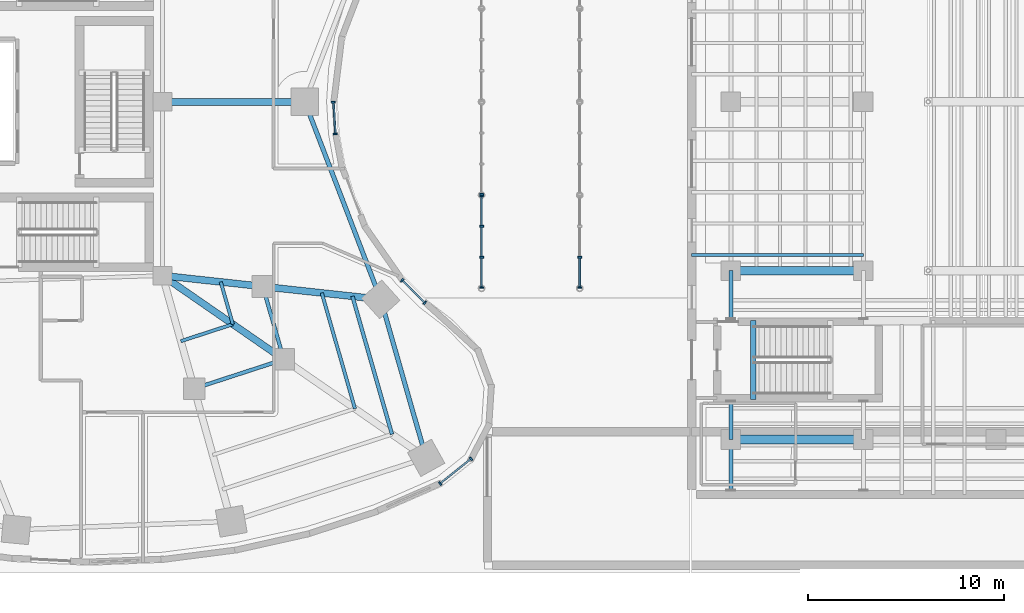
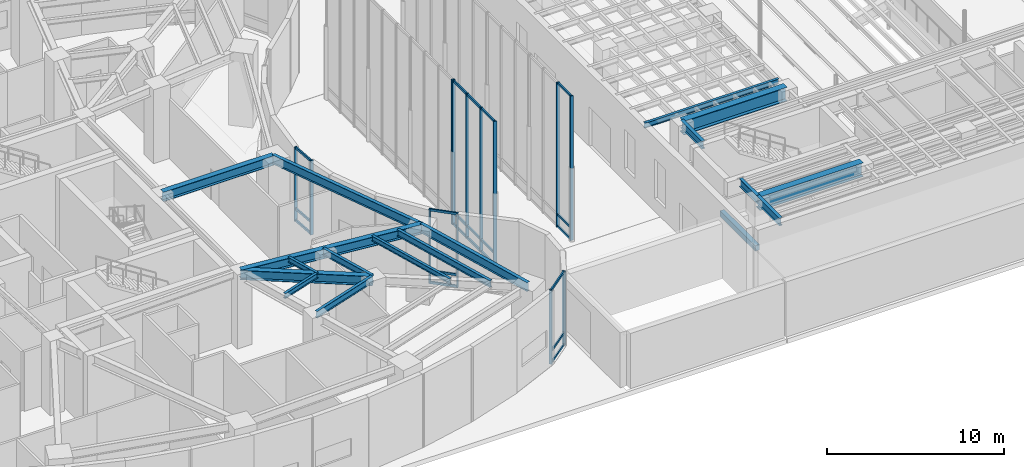
# One storey, part 8 of 28: 34 members, 19 beams, 6 elements without a shape of their own.
"""IFC4 building model written with IfcOpenShell, lengths in metres."""

import ifcopenshell
import ifcopenshell.guid

model = None  # the IFC model being written
_history = None  # IfcOwnerHistory: only IFC2X3 demands one
_inside = {}  # id of a spatial element -> (the spatial element, [elements in it])
_under = {}  # id of a project, library or spatial element -> (it, [spatial elements below it])
_declared = {}  # id of a project -> (the project, [libraries it declares])
_typed = {}  # id of a type object -> (the type object, [elements of that type])
_made_of = {}  # id of a material, layer set ... -> (it, [elements and type objects made of it])


def new_model(schema):
    """Start an empty IFC model of exactly this schema.

    Asked for "IFC4X3", IfcOpenShell would pick the latest addendum, in which some entities
    have other attributes; the version numbers below select the first issue.
    IFC2X3 requires an IfcOwnerHistory on every rooted entity: one is made here for all.
    """
    global model, _history
    if schema == "IFC4X3":
        model = ifcopenshell.file(schema_version=(4, 3, 0, 0))
    else:
        model = ifcopenshell.file(schema=schema)
    _inside.clear()
    _under.clear()
    _declared.clear()
    _typed.clear()
    _made_of.clear()
    _history = None
    if model.schema == "IFC2X3":
        org = make("IfcOrganization", Name="unknown")
        user = make(
            "IfcPersonAndOrganization",
            ThePerson=make("IfcPerson", FamilyName="unknown"),
            TheOrganization=org,
        )
        app = make(
            "IfcApplication",
            ApplicationDeveloper=org,
            Version="unknown",
            ApplicationFullName="unknown",
            ApplicationIdentifier="unknown",
        )
        _history = make(
            "IfcOwnerHistory",
            OwningUser=user,
            OwningApplication=app,
            ChangeAction="ADDED",
            CreationDate=0,
        )
    return model


def make(cls, **values):
    """One entity of the class cls with the attributes given. An attribute that is None is left unset."""
    return model.create_entity(
        cls, **{name: value for name, value in values.items() if value is not None}
    )


def rooted(cls, **values):
    """An entity with a GlobalId (a new one), such as an element, a storey or a relation."""
    return make(cls, GlobalId=ifcopenshell.guid.new(), OwnerHistory=_history, **values)


def si_unit(unit_type, name, prefix=None):
    """IfcSIUnit, for example si_unit("LENGTHUNIT", "METRE", prefix="MILLI")."""
    return make("IfcSIUnit", UnitType=unit_type, Prefix=prefix, Name=name)


def assignment(units):
    """IfcUnitAssignment: the units of a project."""
    return None if units is None else make("IfcUnitAssignment", Units=units)


def point(xyz):
    """IfcCartesianPoint."""
    return None if xyz is None else make("IfcCartesianPoint", Coordinates=xyz)


def direction(xyz):
    """IfcDirection."""
    return None if xyz is None else make("IfcDirection", DirectionRatios=xyz)


def frame(location, z_axis=None, x_axis=None):
    """IfcAxis2Placement3D, a coordinate frame: its origin and axes. An axis left out is left unset."""
    return make(
        "IfcAxis2Placement3D",
        Location=point(location),
        Axis=direction(z_axis),
        RefDirection=direction(x_axis),
    )


def frame_2d(location, x_axis=None):
    """IfcAxis2Placement2D, a coordinate frame in the plane: its origin and x axis."""
    return make(
        "IfcAxis2Placement2D", Location=point(location), RefDirection=direction(x_axis)
    )


def origin():
    """The frame at (0, 0, 0) with its axes left unset."""
    return frame((0.0, 0.0, 0.0))


def origin_2d():
    """The frame at (0, 0) in the plane with its x axis left unset."""
    return frame_2d((0.0, 0.0))


def place(relative_to, where):
    """IfcLocalPlacement: puts the frame where relative to a parent placement (None: the world)."""
    return make(
        "IfcLocalPlacement", PlacementRelTo=relative_to, RelativePlacement=where
    )


def context(
    kind, dimensions, precision=None, world=None, true_north=None, identifier=None
):
    """IfcGeometricRepresentationContext, for example the 3D "Model" context."""
    return make(
        "IfcGeometricRepresentationContext",
        ContextIdentifier=identifier,
        ContextType=kind,
        CoordinateSpaceDimension=dimensions,
        Precision=precision,
        WorldCoordinateSystem=world,
        TrueNorth=true_north,
    )


def subcontext(parent, identifier, kind, view, scale=None):
    """IfcGeometricRepresentationSubContext, for example "Body" below "Model"."""
    return make(
        "IfcGeometricRepresentationSubContext",
        ContextIdentifier=identifier,
        ContextType=kind,
        ParentContext=parent,
        TargetScale=scale,
        TargetView=view,
    )


def project(units=None, contexts=None):
    """IfcProject with its units and contexts."""
    return rooted(
        "IfcProject",
        Name="project",
        RepresentationContexts=contexts,
        UnitsInContext=assignment(units),
    )


def spatial(cls, under=None, at=None, **own):
    """A site, building, storey or space (cls), placed at a placement, below another one or the project."""
    s = rooted(cls, ObjectPlacement=at, **own)
    if under is not None:
        _under.setdefault(under.id(), (under, []))[1].append(s)
    return s


def profile(cls, at=None, kind="AREA", **sizes):
    """A parametric profile (cls). Its sizes go by their IFC names, for example OverallWidth=200.0."""
    return make(cls, ProfileType=kind, Position=at, **sizes)


def rectangle(**sizes):
    """IfcRectangleProfileDef."""
    return profile("IfcRectangleProfileDef", **sizes)


def i_section(**sizes):
    """IfcIShapeProfileDef."""
    return profile("IfcIShapeProfileDef", **sizes)


def extrude(swept, where, along, depth):
    """IfcExtrudedAreaSolid: the profile swept, set in the frame where, extruded along a direction by depth."""
    return make(
        "IfcExtrudedAreaSolid",
        SweptArea=swept,
        Position=where,
        ExtrudedDirection=direction(along),
        Depth=depth,
    )


def shape(context_of_items, identifier, shape_type, items):
    """IfcShapeRepresentation: the items that make up one representation, for example the "Body"."""
    return make(
        "IfcShapeRepresentation",
        ContextOfItems=context_of_items,
        RepresentationIdentifier=identifier,
        RepresentationType=shape_type,
        Items=items,
    )


def material(Name=None, Category=None):
    """IfcMaterial."""
    return make("IfcMaterial", Name=Name, Category=Category)


def layer(
    of_material, thickness, ventilated=None, Name=None, Category=None, Priority=None
):
    """IfcMaterialLayer: one layer of a wall or slab, of a material (None: an air gap)."""
    return make(
        "IfcMaterialLayer",
        Material=of_material,
        LayerThickness=thickness,
        IsVentilated=ventilated,
        Name=Name,
        Category=Category,
        Priority=Priority,
    )


def layer_set(layers, Name=None):
    """IfcMaterialLayerSet."""
    return make("IfcMaterialLayerSet", MaterialLayers=layers, LayerSetName=Name)


def material_profile(
    of_material, cross_section, Name=None, Category=None, Priority=None
):
    """IfcMaterialProfile: a cross section and its material."""
    return make(
        "IfcMaterialProfile",
        Name=Name,
        Material=of_material,
        Profile=cross_section,
        Priority=Priority,
        Category=Category,
    )


def profile_set(profiles, Name=None, composite=None):
    """IfcMaterialProfileSet."""
    return make(
        "IfcMaterialProfileSet",
        Name=Name,
        MaterialProfiles=profiles,
        CompositeProfile=composite,
    )


def made_of(thing, what):
    """Note that an element or type object is made of a material, layer set ...; save() writes the relation."""
    if what is not None:
        _made_of.setdefault(what.id(), (what, []))[1].append(thing)
    return thing


def type_object(cls, material=None, **own):
    """A type object (cls), such as IfcWallType, which elements share."""
    return made_of(rooted(cls, **own), material)


def element(
    cls,
    number,
    at=None,
    inside=None,
    cuts=None,
    type_object=None,
    material=None,
    context=None,
    identifier="Body",
    shape_type=None,
    held_by="IfcProductDefinitionShape",
    body=None,
    shapes=None,
    **own,
):
    """One element of the class cls, such as IfcWall. Its Tag is "e" and its number.

    at: its placement. inside: the storey or other place that contains it. cuts: it is an
    opening in that element (IfcRelVoidsElement). A single representation is given by context,
    identifier, shape_type and body (its items); several are given by shapes. held_by: the class
    of the entity that holds the representations. save() writes the other relations.
    """
    e = rooted(cls, Tag="e%d" % number, ObjectPlacement=at, **own)
    if body is not None:
        shapes = [shape(context, identifier, shape_type, body)]
    if shapes is not None:
        e.Representation = make(held_by, Representations=shapes)
    if inside is not None:
        _inside.setdefault(inside.id(), (inside, []))[1].append(e)
    if cuts is not None:
        rooted(
            "IfcRelVoidsElement", RelatingBuildingElement=cuts, RelatedOpeningElement=e
        )
    if type_object is not None:
        _typed.setdefault(type_object.id(), (type_object, []))[1].append(e)
    return made_of(e, material)


def aggregate(whole, parts):
    """IfcRelAggregates: a whole, such as a stair, and the parts it consists of."""
    return rooted("IfcRelAggregates", RelatingObject=whole, RelatedObjects=parts)


def save(model, path):
    """Write the relations noted so far, then the file.

    IfcRelAggregates (storeys below a building ...), IfcRelContainedInSpatialStructure (elements
    in a storey), IfcRelDefinesByType, IfcRelAssociatesMaterial and IfcRelDeclares: one each for
    every whole, place, type object, material and project.
    """
    for whole, parts in _under.values():
        aggregate(whole, parts)
    for where, things in _inside.values():
        rooted(
            "IfcRelContainedInSpatialStructure",
            RelatedElements=things,
            RelatingStructure=where,
        )
    for kind, things in _typed.values():
        rooted("IfcRelDefinesByType", RelatedObjects=things, RelatingType=kind)
    for what, things in _made_of.values():
        rooted("IfcRelAssociatesMaterial", RelatedObjects=things, RelatingMaterial=what)
    for by, libraries in _declared.values():
        rooted("IfcRelDeclares", RelatingContext=by, RelatedDefinitions=libraries)
    model.write(path)


model = new_model("IFC4")

# Units and contexts
model_context = context("Model", 3, precision=1e-05, world=origin(), true_north=direction((0.0, 1.0)))
body_context = subcontext(model_context, "Body", "Model", "MODEL_VIEW")
ifc_project = project(units=[si_unit("LENGTHUNIT", "METRE"), si_unit("AREAUNIT", "SQUARE_METRE"), si_unit("VOLUMEUNIT", "CUBIC_METRE"), si_unit("PLANEANGLEUNIT", "RADIAN"), si_unit("MASSUNIT", "GRAM", prefix="KILO")], contexts=[model_context])

# Site, building, storey
site_placement = place(None, origin())
site = spatial("IfcSite", under=ifc_project, at=site_placement, CompositionType="ELEMENT")
building_placement = place(site_placement, origin())
building = spatial("IfcBuilding", under=site, at=building_placement, Name="Korentha Bioscience Tower", CompositionType="ELEMENT")
storey_placement = place(building_placement, origin())
storey = spatial("IfcBuildingStorey", under=building, at=storey_placement, Name="L00", CompositionType="ELEMENT", Elevation=0.0)

# Beams
ifc_material_1 = material(Name="Concrete C50", Category="concrete")
ifc_material_profile_1 = material_profile(ifc_material_1, rectangle(XDim=0.280029296875, YDim=0.3798828125, at=origin_2d()), Name="Concrete C50")
ifc_profile_set_1 = profile_set([ifc_material_profile_1], Name="Concrete C50 (ST-HB380)")
beam_type_1 = type_object("IfcBeamType", Name="Concrete Stair Header Beam RC 280x380", PredefinedType="BEAM", material=ifc_profile_set_1)
beam_1_placement = place(storey_placement, frame((67.64990234375, 11.85009765625, -0.18994140625), z_axis=(0.0, 1.0, 0.0), x_axis=(-1.0, 0.0, 0.0)))
element("IfcBeam", 1, at=beam_1_placement, inside=storey, type_object=beam_type_1, Name="L00 ST-T1 Concrete Stair Header Beam", PredefinedType="BEAM", context=body_context, shape_type="SweptSolid", body=[
    extrude(rectangle(XDim=0.280029296875, YDim=0.3798828125, at=origin_2d()), origin(), (0.0, 0.0, 1.0), 4.0),
])
ifc_material_2 = material(Name="Steel S355", Category="steel")
ifc_material_profile_2 = material_profile(ifc_material_2, i_section(OverallWidth=0.18994140625, OverallDepth=0.45703125, WebThickness=0.009033203125, FlangeThickness=0.014404296875, at=origin_2d()), Name="Steel S355")
ifc_profile_set_2 = profile_set([ifc_material_profile_2], Name="Steel S355 (MB-460)")
beam_type_2 = type_object("IfcBeamType", Name="Mid-Ring Tie Girder W460x74", PredefinedType="BEAM", material=ifc_profile_set_2)
beam_2_placement = place(storey_placement, frame((39.1611328125, 12.392333984375, 4.87158203125), z_axis=(0.950877001105, 0.309568940253, 0.0), x_axis=(-0.309568940253, 0.950877001105, 0.0)))
element("IfcBeam", 2, at=beam_2_placement, inside=storey, type_object=beam_type_2, Name="L00 Mid-Ring Tie Girder 12", PredefinedType="BEAM", context=body_context, shape_type="SweptSolid", body=[
    extrude(i_section(OverallWidth=0.18994140625, OverallDepth=0.45703125, WebThickness=0.009033203125, FlangeThickness=0.014404296875, at=origin_2d()), origin(), (0.0, 0.0, 1.0), 4.80126953125),
])
beam_3_placement = place(storey_placement, frame((43.7265625, 13.878662109375, 4.87158203125), z_axis=(-0.27560557792, 0.961270807535, 0.0), x_axis=(-0.961270807535, -0.27560557792, 0.0)))
element("IfcBeam", 3, at=beam_3_placement, inside=storey, type_object=beam_type_2, Name="L00 Mid-Ring Tie Girder 13", PredefinedType="BEAM", context=body_context, shape_type="SweptSolid", body=[
    extrude(i_section(OverallWidth=0.18994140625, OverallDepth=0.45703125, WebThickness=0.009033203125, FlangeThickness=0.014404296875, at=origin_2d()), origin(), (0.0, 0.0, 1.0), 3.864013671875),
])

# Curtain wall, members
ifc_material_3 = material(Name="Stone-Clad Aluminium Frame", Category="masonry")
ifc_layer_1 = layer(ifc_material_3, 0.219970703125, Name="Stone-Clad Aluminium Frame")
ifc_layer_set_1 = layer_set([ifc_layer_1], Name="Stone-Clad Aluminium Frame (CW-P1)")
curtain_wall_type_1 = type_object("IfcCurtainWallType", Name="Podium Double-Height Stone-Mullion Curtain Wall CW-P1", PredefinedType="USERDEFINED", material=ifc_layer_set_1)
curtain_wall_1_placement = place(storey_placement, origin())
curtain_wall_1 = element("IfcCurtainWall", 4, at=curtain_wall_1_placement, inside=storey, type_object=curtain_wall_type_1, Name="L00 Curtain Wall 37", ObjectType="UNITISED", PredefinedType="USERDEFINED")
ifc_material_4 = material(Name="Anodised Aluminium 6063-T6", Category="aluminium")
ifc_material_profile_3 = material_profile(ifc_material_4, rectangle(XDim=0.090087890625, YDim=0.199951171875, at=origin_2d()), Name="Anodised Aluminium 6063-T6")
ifc_profile_set_3 = profile_set([ifc_material_profile_3], Name="Anodised Aluminium 6063-T6 (CW-MUL)")
member_type_1 = type_object("IfcMemberType", Name="Mullion RECT 90x200", PredefinedType="MULLION", material=ifc_profile_set_3)
member_1_placement = place(storey_placement, frame((51.6865234375, 7.56298828125, 0.0), z_axis=(0.0, 0.0, 1.0), x_axis=(0.782287851332, 0.62291710336, 0.0)))
member_1 = element("IfcMember", 5, at=member_1_placement, type_object=member_type_1, Name="CW-L00-37 Mullion 1", PredefinedType="MULLION", context=body_context, shape_type="SweptSolid", body=[
    extrude(rectangle(XDim=0.090087890625, YDim=0.199951171875, at=origin_2d()), origin(), (0.0, 0.0, 1.0), 5.10009765625),
])
member_2_placement = place(storey_placement, frame((53.264892578125, 8.81982421875, 0.0), z_axis=(0.0, 0.0, 1.0), x_axis=(0.782287851332, 0.62291710336, 0.0)))
member_2 = element("IfcMember", 6, at=member_2_placement, type_object=member_type_1, Name="CW-L00-37 Mullion 2", PredefinedType="MULLION", context=body_context, shape_type="SweptSolid", body=[
    extrude(rectangle(XDim=0.090087890625, YDim=0.199951171875, at=origin_2d()), origin(), (0.0, 0.0, 1.0), 5.10009765625),
])

curtain_wall_2_placement = place(storey_placement, origin())
curtain_wall_2 = element("IfcCurtainWall", 7, at=curtain_wall_2_placement, inside=storey, type_object=curtain_wall_type_1, Name="L00 Curtain Wall 43", ObjectType="UNITISED", PredefinedType="USERDEFINED")
member_3_placement = place(storey_placement, frame((50.913818359375, 16.76513671875, 0.0), z_axis=(0.0, 0.0, 1.0), x_axis=(-0.713279246754, 0.700879958445, 0.0)))
member_3 = element("IfcMember", 8, at=member_3_placement, type_object=member_type_1, Name="CW-L00-43 Mullion 1", PredefinedType="MULLION", context=body_context, shape_type="SweptSolid", body=[
    extrude(rectangle(XDim=0.090087890625, YDim=0.199951171875, at=origin_2d()), origin(), (0.0, 0.0, 1.0), 5.10009765625),
])
member_4_placement = place(storey_placement, frame((49.752685546875, 17.90625, 0.0), z_axis=(0.0, 0.0, 1.0), x_axis=(-0.713279246754, 0.700879958445, 0.0)))
member_4 = element("IfcMember", 9, at=member_4_placement, type_object=member_type_1, Name="CW-L00-43 Mullion 2", PredefinedType="MULLION", context=body_context, shape_type="SweptSolid", body=[
    extrude(rectangle(XDim=0.090087890625, YDim=0.199951171875, at=origin_2d()), origin(), (0.0, 0.0, 1.0), 5.10009765625),
])

curtain_wall_3_placement = place(storey_placement, origin())
curtain_wall_3 = element("IfcCurtainWall", 10, at=curtain_wall_3_placement, inside=storey, type_object=curtain_wall_type_1, Name="L00 Curtain Wall 49", ObjectType="UNITISED", PredefinedType="USERDEFINED")
member_5_placement = place(storey_placement, frame((46.355712890625, 25.3603515625, 0.0), z_axis=(0.0, 0.0, 1.0), x_axis=(-0.061008272998, 0.998137260413, 0.0)))
member_5 = element("IfcMember", 11, at=member_5_placement, type_object=member_type_1, Name="CW-L00-49 Mullion 1", PredefinedType="MULLION", context=body_context, shape_type="SweptSolid", body=[
    extrude(rectangle(XDim=0.090087890625, YDim=0.199951171875, at=origin_2d()), origin(), (0.0, 0.0, 1.0), 5.10009765625),
])
member_6_placement = place(storey_placement, frame((46.25634765625, 26.985107421875, 0.0), z_axis=(0.0, 0.0, 1.0), x_axis=(-0.061008272998, 0.998137260413, 0.0)))
member_6 = element("IfcMember", 12, at=member_6_placement, type_object=member_type_1, Name="CW-L00-49 Mullion 2", PredefinedType="MULLION", context=body_context, shape_type="SweptSolid", body=[
    extrude(rectangle(XDim=0.090087890625, YDim=0.199951171875, at=origin_2d()), origin(), (0.0, 0.0, 1.0), 5.10009765625),
])

ifc_material_5 = material(Name="Painted Steel-Aluminium Mullion System", Category="steel")
ifc_layer_2 = layer(ifc_material_5, 0.219970703125, Name="Painted Steel-Aluminium Mullion System")
ifc_layer_set_2 = layer_set([ifc_layer_2], Name="Painted Steel-Aluminium Mullion System (CW-A1)")
curtain_wall_type_2 = type_object("IfcCurtainWallType", Name="Covered Public Arcade Glazed Wall CW-A1", PredefinedType="USERDEFINED", material=ifc_layer_set_2)
curtain_wall_4_placement = place(storey_placement, origin())
curtain_wall_4 = element("IfcCurtainWall", 13, at=curtain_wall_4_placement, inside=storey, type_object=curtain_wall_type_2, Name="Covered Arcade Curtain Wall E-1", ObjectType="ARCADE_GLAZING", PredefinedType="USERDEFINED")
member_7_placement = place(storey_placement, frame((58.800048828125, 17.544921875, 0.0), z_axis=(0.0, 0.0, 1.0), x_axis=(0.0, 1.0, 0.0)))
member_7 = element("IfcMember", 14, at=member_7_placement, type_object=member_type_1, Name="CW-ARC-E-1 Mullion 1", PredefinedType="MULLION", context=body_context, shape_type="SweptSolid", body=[
    extrude(rectangle(XDim=0.090087890625, YDim=0.199951171875, at=origin_2d()), origin(), (0.0, 0.0, 1.0), 9.9599609375),
])
member_8_placement = place(storey_placement, frame((58.800048828125, 19.083251953125, 0.0), z_axis=(0.0, 0.0, 1.0), x_axis=(0.0, 1.0, 0.0)))
member_8 = element("IfcMember", 15, at=member_8_placement, type_object=member_type_1, Name="CW-ARC-E-1 Mullion 2", PredefinedType="MULLION", context=body_context, shape_type="SweptSolid", body=[
    extrude(rectangle(XDim=0.090087890625, YDim=0.199951171875, at=origin_2d()), origin(), (0.0, 0.0, 1.0), 9.9599609375),
])

curtain_wall_5_placement = place(storey_placement, origin())
curtain_wall_5 = element("IfcCurtainWall", 16, at=curtain_wall_5_placement, inside=storey, type_object=curtain_wall_type_2, Name="Covered Arcade Curtain Wall W-1", ObjectType="ARCADE_GLAZING", PredefinedType="USERDEFINED")
member_9_placement = place(storey_placement, frame((53.800048828125, 17.544921875, 0.0), z_axis=(0.0, 0.0, 1.0), x_axis=(0.0, 1.0, 0.0)))
member_9 = element("IfcMember", 17, at=member_9_placement, type_object=member_type_1, Name="CW-ARC-W-1 Mullion 1", PredefinedType="MULLION", context=body_context, shape_type="SweptSolid", body=[
    extrude(rectangle(XDim=0.090087890625, YDim=0.199951171875, at=origin_2d()), origin(), (0.0, 0.0, 1.0), 9.9599609375),
])
member_10_placement = place(storey_placement, frame((53.800048828125, 19.083251953125, 0.0), z_axis=(0.0, 0.0, 1.0), x_axis=(0.0, 1.0, 0.0)))
member_10 = element("IfcMember", 18, at=member_10_placement, type_object=member_type_1, Name="CW-ARC-W-1 Mullion 2", PredefinedType="MULLION", context=body_context, shape_type="SweptSolid", body=[
    extrude(rectangle(XDim=0.090087890625, YDim=0.199951171875, at=origin_2d()), origin(), (0.0, 0.0, 1.0), 9.9599609375),
])
member_11_placement = place(storey_placement, frame((53.800048828125, 20.666748046875, 0.0), z_axis=(0.0, 0.0, 1.0), x_axis=(0.0, 1.0, 0.0)))
member_11 = element("IfcMember", 19, at=member_11_placement, type_object=member_type_1, Name="CW-ARC-W-1 Mullion 3", PredefinedType="MULLION", context=body_context, shape_type="SweptSolid", body=[
    extrude(rectangle(XDim=0.090087890625, YDim=0.199951171875, at=origin_2d()), origin(), (0.0, 0.0, 1.0), 9.9599609375),
])
member_12_placement = place(storey_placement, frame((53.800048828125, 22.205078125, 0.0), z_axis=(0.0, 0.0, 1.0), x_axis=(0.0, 1.0, 0.0)))
member_12 = element("IfcMember", 20, at=member_12_placement, type_object=member_type_1, Name="CW-ARC-W-1 Mullion 4", PredefinedType="MULLION", context=body_context, shape_type="SweptSolid", body=[
    extrude(rectangle(XDim=0.090087890625, YDim=0.199951171875, at=origin_2d()), origin(), (0.0, 0.0, 1.0), 9.9599609375),
])

# Curtain wall, member
curtain_wall_6_placement = place(storey_placement, origin())
curtain_wall_6 = element("IfcCurtainWall", 21, at=curtain_wall_6_placement, inside=storey, type_object=curtain_wall_type_2, Name="Covered Arcade Curtain Wall W-2", ObjectType="ARCADE_GLAZING", PredefinedType="USERDEFINED")
member_13_placement = place(storey_placement, frame((53.800048828125, 22.294921875, 0.0), z_axis=(0.0, 0.0, 1.0), x_axis=(0.0, 1.0, 0.0)))
member_13 = element("IfcMember", 22, at=member_13_placement, type_object=member_type_1, Name="CW-ARC-W-2 Mullion 1", PredefinedType="MULLION", context=body_context, shape_type="SweptSolid", body=[
    extrude(rectangle(XDim=0.090087890625, YDim=0.199951171875, at=origin_2d()), origin(), (0.0, 0.0, 1.0), 9.9599609375),
])
aggregate(curtain_wall_6, [member_13])

# Beams
ifc_material_profile_4 = material_profile(ifc_material_2, i_section(OverallWidth=0.208984375, OverallDepth=0.532958984375, WebThickness=0.01025390625, FlangeThickness=0.015625, at=origin_2d()), Name="Steel S355")
ifc_profile_set_4 = profile_set([ifc_material_profile_4], Name="Steel S355 (SB-530)")
beam_type_3 = type_object("IfcBeamType", Name="Perimeter Ring Spandrel Girder W530x92", PredefinedType="SPANDREL", material=ifc_profile_set_4)
beam_4_placement = place(storey_placement, frame((66.5, 7.2099609375, 4.83349609375), z_axis=(0.0, 1.0, 0.0), x_axis=(-1.0, 0.0, 0.0)))
element("IfcBeam", 23, at=beam_4_placement, inside=storey, type_object=beam_type_3, Name="L00 Theatre Collector Girder 1-1", PredefinedType="SPANDREL", context=body_context, shape_type="SweptSolid", body=[
    extrude(i_section(OverallWidth=0.208984375, OverallDepth=0.532958984375, WebThickness=0.01025390625, FlangeThickness=0.015625, at=origin_2d()), origin(), (0.0, 0.0, 1.0), 2.590087890625),
])
beam_5_placement = place(storey_placement, frame((66.5, 9.800048828125, 4.83349609375), z_axis=(0.0, 1.0, 0.0), x_axis=(-1.0, 0.0, 0.0)))
element("IfcBeam", 24, at=beam_5_placement, inside=storey, type_object=beam_type_3, Name="L00 Theatre Collector Girder 1-2", PredefinedType="SPANDREL", context=body_context, shape_type="SweptSolid", body=[
    extrude(i_section(OverallWidth=0.208984375, OverallDepth=0.532958984375, WebThickness=0.01025390625, FlangeThickness=0.015625, at=origin_2d()), origin(), (0.0, 0.0, 1.0), 1.949951171875),
])
beam_6_placement = place(storey_placement, frame((66.5, 15.949951171875, 4.83349609375), z_axis=(0.0, 1.0, 0.0), x_axis=(-1.0, 0.0, 0.0)))
element("IfcBeam", 25, at=beam_6_placement, inside=storey, type_object=beam_type_3, Name="L00 Theatre Collector Girder 1-3", PredefinedType="SPANDREL", context=body_context, shape_type="SweptSolid", body=[
    extrude(i_section(OverallWidth=0.208984375, OverallDepth=0.532958984375, WebThickness=0.01025390625, FlangeThickness=0.015625, at=origin_2d()), origin(), (0.0, 0.0, 1.0), 2.449951171875),
])
ifc_material_profile_5 = material_profile(ifc_material_2, i_section(OverallWidth=0.22802734375, OverallDepth=0.60791015625, WebThickness=0.01123046875, FlangeThickness=0.017333984375, at=origin_2d()), Name="Steel S355")
ifc_profile_set_5 = profile_set([ifc_material_profile_5], Name="Steel S355 (SB-610)")
beam_type_4 = type_object("IfcBeamType", Name="Perimeter Ring Spandrel Girder W610x113", PredefinedType="SPANDREL", material=ifc_profile_set_5)
beam_7_placement = place(storey_placement, frame((50.977294921875, 8.864501953125, 4.7958984375), z_axis=(-0.275642273411, 0.961260285827, 0.0), x_axis=(-0.961260285827, -0.275642273411, 0.0)))
element("IfcBeam", 26, at=beam_7_placement, inside=storey, type_object=beam_type_4, Name="L00 Perimeter Spandrel Girder 13", PredefinedType="SPANDREL", context=body_context, shape_type="SweptSolid", body=[
    extrude(i_section(OverallWidth=0.22802734375, OverallDepth=0.60791015625, WebThickness=0.01123046875, FlangeThickness=0.017333984375, at=origin_2d()), origin(), (0.0, 0.0, 1.0), 8.400146484375),
])
beam_8_placement = place(storey_placement, frame((48.661865234375, 16.939208984375, 4.7958984375), z_axis=(-0.358473520253, 0.93353989485, 0.0), x_axis=(-0.93353989485, -0.358473520253, 0.0)))
element("IfcBeam", 27, at=beam_8_placement, inside=storey, type_object=beam_type_4, Name="L00 Perimeter Spandrel Girder 14", PredefinedType="SPANDREL", context=body_context, shape_type="SweptSolid", body=[
    extrude(i_section(OverallWidth=0.22802734375, OverallDepth=0.60791015625, WebThickness=0.01123046875, FlangeThickness=0.017333984375, at=origin_2d()), origin(), (0.0, 0.0, 1.0), 10.777099609375),
])
ifc_material_profile_6 = material_profile(ifc_material_2, i_section(OverallWidth=0.18994140625, OverallDepth=0.45703125, WebThickness=0.009033203125, FlangeThickness=0.014404296875, at=origin_2d()), Name="Steel S355")
ifc_profile_set_6 = profile_set([ifc_material_profile_6], Name="Steel S355 (RB-460)")
beam_type_5 = type_object("IfcBeamType", Name="Radial Laboratory Beam W460x74", PredefinedType="BEAM", material=ifc_profile_set_6)
beam_9_placement = place(storey_placement, frame((49.2373046875, 10.068115234375, 4.87158203125), z_axis=(-0.275682421415, 0.961248772443, 0.0), x_axis=(-0.961248772443, -0.275682421415, 0.0)))
element("IfcBeam", 28, at=beam_9_placement, inside=storey, type_object=beam_type_5, Name="L00 Secondary Floor Beam JSTO-13", PredefinedType="BEAM", context=body_context, shape_type="SweptSolid", body=[
    extrude(i_section(OverallWidth=0.18994140625, OverallDepth=0.45703125, WebThickness=0.009033203125, FlangeThickness=0.014404296875, at=origin_2d()), origin(), (0.0, 0.0, 1.0), 7.3115234375),
])
ifc_material_profile_7 = material_profile(ifc_material_2, i_section(OverallWidth=0.35009765625, OverallDepth=0.64990234375, WebThickness=0.01611328125, FlangeThickness=0.02490234375, at=origin_2d()), Name="Steel S355")
ifc_profile_set_7 = profile_set([ifc_material_profile_7], Name="Steel S355 (RB-650)")
beam_type_6 = type_object("IfcBeamType", Name="Radial Laboratory Girder CVS 650x208", PredefinedType="BEAM", material=ifc_profile_set_7)
beam_10_placement = place(storey_placement, frame((37.550048828125, 18.14990234375, 4.77490234375), z_axis=(0.822491697625, -0.568777115694, 0.0), x_axis=(0.568777115694, 0.822491697625, 0.0)))
element("IfcBeam", 29, at=beam_10_placement, inside=storey, type_object=beam_type_6, Name="L00 Inner Radial Girder 13", PredefinedType="BEAM", context=body_context, shape_type="SweptSolid", body=[
    extrude(i_section(OverallWidth=0.35009765625, OverallDepth=0.64990234375, WebThickness=0.01611328125, FlangeThickness=0.02490234375, at=origin_2d()), origin(), (0.0, 0.0, 1.0), 7.509521484375),
])
beam_11_placement = place(storey_placement, frame((37.550048828125, 18.14990234375, 4.77490234375), z_axis=(0.994117709144, -0.10830503389, 0.0), x_axis=(0.10830503389, 0.994117709144, 0.0)))
element("IfcBeam", 30, at=beam_11_placement, inside=storey, type_object=beam_type_6, Name="L00 Inner Radial Girder 14", PredefinedType="BEAM", context=body_context, shape_type="SweptSolid", body=[
    extrude(i_section(OverallWidth=0.35009765625, OverallDepth=0.64990234375, WebThickness=0.01611328125, FlangeThickness=0.02490234375, at=origin_2d()), origin(), (0.0, 0.0, 1.0), 5.141845703125),
])
beam_12_placement = place(storey_placement, frame((42.66162109375, 17.593017578125, 4.77490234375), z_axis=(0.994115805925, -0.108322501862, 0.0), x_axis=(0.108322501862, 0.994115805925, 0.0)))
element("IfcBeam", 31, at=beam_12_placement, inside=storey, type_object=beam_type_6, Name="L00 Outer Radial Girder 14", PredefinedType="BEAM", context=body_context, shape_type="SweptSolid", body=[
    extrude(i_section(OverallWidth=0.35009765625, OverallDepth=0.64990234375, WebThickness=0.01611328125, FlangeThickness=0.02490234375, at=origin_2d()), origin(), (0.0, 0.0, 1.0), 6.03564453125),
])
beam_13_placement = place(storey_placement, frame((37.550048828125, 27.0, 4.77490234375), z_axis=(1.0, 0.0, 0.0), x_axis=(0.0, 1.0, 0.0)))
element("IfcBeam", 32, at=beam_13_placement, inside=storey, type_object=beam_type_6, Name="L00 Radial Girder 15", PredefinedType="BEAM", context=body_context, shape_type="SweptSolid", body=[
    extrude(i_section(OverallWidth=0.35009765625, OverallDepth=0.64990234375, WebThickness=0.01611328125, FlangeThickness=0.02490234375, at=origin_2d()), origin(), (0.0, 0.0, 1.0), 7.24853515625),
])
ifc_material_profile_8 = material_profile(ifc_material_2, i_section(OverallWidth=0.1708984375, OverallDepth=0.35498046875, WebThickness=0.007080078125, FlangeThickness=0.01171875, at=origin_2d()), Name="Steel S355")
ifc_profile_set_8 = profile_set([ifc_material_profile_8], Name="Steel S355 (JB-360)")
beam_type_7 = type_object("IfcBeamType", Name="Secondary Laboratory Joist W360x51", PredefinedType="JOIST", material=ifc_profile_set_8)
beam_14_placement = place(storey_placement, frame((38.484619140625, 14.810546875, 4.922607421875), z_axis=(0.950869630746, 0.309591578254, 0.0), x_axis=(-0.309591578254, 0.950869630746, 0.0)))
element("IfcBeam", 33, at=beam_14_placement, inside=storey, type_object=beam_type_7, Name="L00 Inner Bay Joist 12", PredefinedType="JOIST", context=body_context, shape_type="SweptSolid", body=[
    extrude(i_section(OverallWidth=0.1708984375, OverallDepth=0.35498046875, WebThickness=0.007080078125, FlangeThickness=0.01171875, at=origin_2d()), origin(), (0.0, 0.0, 1.0), 2.784423828125),
])
beam_15_placement = place(storey_placement, frame((47.35205078125, 11.37158203125, 4.922607421875), z_axis=(-0.275667500387, 0.96125305161, 0.0), x_axis=(-0.96125305161, -0.275667500387, 0.0)))
element("IfcBeam", 34, at=beam_15_placement, inside=storey, type_object=beam_type_7, Name="L00 Secondary Floor Beam JST-13", PredefinedType="JOIST", context=body_context, shape_type="SweptSolid", body=[
    extrude(i_section(OverallWidth=0.1708984375, OverallDepth=0.35498046875, WebThickness=0.007080078125, FlangeThickness=0.01171875, at=origin_2d()), origin(), (0.0, 0.0, 1.0), 6.132080078125),
])
beam_16_placement = place(storey_placement, frame((41.13232421875, 15.672607421875, 4.922607421875), z_axis=(-0.275613067773, 0.961268660091, 0.0), x_axis=(-0.961268660091, -0.275613067773, 0.0)))
element("IfcBeam", 35, at=beam_16_placement, inside=storey, type_object=beam_type_7, Name="L00 Inner Bay Joist 13", PredefinedType="JOIST", context=body_context, shape_type="SweptSolid", body=[
    extrude(i_section(OverallWidth=0.1708984375, OverallDepth=0.35498046875, WebThickness=0.007080078125, FlangeThickness=0.01171875, at=origin_2d()), origin(), (0.0, 0.0, 1.0), 2.2412109375),
])
beam_17_placement = place(storey_placement, frame((64.5, 19.199951171875, 4.922607421875), z_axis=(1.0, 0.0, 0.0), x_axis=(0.0, 1.0, 0.0)))
element("IfcBeam", 36, at=beam_17_placement, inside=storey, type_object=beam_type_7, Name="L00 Theatre Foyer Joist 01", PredefinedType="JOIST", context=body_context, shape_type="SweptSolid", body=[
    extrude(i_section(OverallWidth=0.1708984375, OverallDepth=0.35498046875, WebThickness=0.007080078125, FlangeThickness=0.01171875, at=origin_2d()), origin(), (0.0, 0.0, 1.0), 8.75),
])
ifc_material_profile_9 = material_profile(ifc_material_2, i_section(OverallWidth=0.449951171875, OverallDepth=0.949951171875, WebThickness=0.02001953125, FlangeThickness=0.034912109375, at=origin_2d()), Name="Steel S355")
ifc_profile_set_9 = profile_set([ifc_material_profile_9], Name="Steel S355 (TB-950)")
beam_type_8 = type_object("IfcBeamType", Name="Theatre Primary Girder CVS 950x374", PredefinedType="BEAM", material=ifc_profile_set_9)
for number, where, z_axis, x_axis, name in (
    (37, (66.5, 9.800048828125, 4.625), (1.0, 0.0, 0.0), (0.0, 1.0, 0.0), "L00 Theatre Foyer Girder 1"),
    (38, (66.5, 18.39990234375, 4.625), (1.0, 0.0, 0.0), (0.0, 1.0, 0.0), "L00 Theatre Foyer Girder 2"),
):
    element("IfcBeam", number, at=place(storey_placement, frame(where, z_axis=z_axis, x_axis=x_axis)), inside=storey, type_object=beam_type_8, Name=name, PredefinedType="BEAM", context=body_context, shape_type="SweptSolid", body=[
        extrude(i_section(OverallWidth=0.449951171875, OverallDepth=0.949951171875, WebThickness=0.02001953125, FlangeThickness=0.034912109375, at=origin_2d()), origin(), (0.0, 0.0, 1.0), 6.75),
    ])

# Member
ifc_material_profile_10 = material_profile(ifc_material_4, rectangle(XDim=0.090087890625, YDim=0.159912109375, at=origin_2d()), Name="Anodised Aluminium 6063-T6")
ifc_profile_set_10 = profile_set([ifc_material_profile_10], Name="Anodised Aluminium 6063-T6 (CW-TRN)")
member_type_2 = type_object("IfcMemberType", Name="Transom RECT 90x160", PredefinedType="USERDEFINED", material=ifc_profile_set_10)
member_14_placement = place(storey_placement, frame((51.7216796875, 7.591064453125, 0.044921875), z_axis=(0.78232471634, 0.622870803782, 0.0), x_axis=(-0.622870803782, 0.78232471634, 0.0)))
member_14 = element("IfcMember", 39, at=member_14_placement, type_object=member_type_2, Name="CW-L00-37 Bay 1 Transom 1", ObjectType="TRANSOM", PredefinedType="USERDEFINED", context=body_context, shape_type="SweptSolid", body=[
    extrude(rectangle(XDim=0.090087890625, YDim=0.159912109375, at=origin_2d()), origin(), (0.0, 0.0, 1.0), 1.927734375),
])

member_15_placement = place(storey_placement, frame((51.7216796875, 7.591064453125, 0.85009765625), z_axis=(0.78232471634, 0.622870803782, 0.0), x_axis=(-0.622870803782, 0.78232471634, 0.0)))
member_15 = element("IfcMember", 40, at=member_15_placement, type_object=member_type_2, Name="CW-L00-37 Bay 1 Transom 2", ObjectType="TRANSOM", PredefinedType="USERDEFINED", context=body_context, shape_type="SweptSolid", body=[
    extrude(rectangle(XDim=0.090087890625, YDim=0.159912109375, at=origin_2d()), origin(), (0.0, 0.0, 1.0), 1.927734375),
])

member_16_placement = place(storey_placement, frame((51.7216796875, 7.591064453125, 5.054931640625), z_axis=(0.78232471634, 0.622870803782, 0.0), x_axis=(-0.622870803782, 0.78232471634, 0.0)))
member_16 = element("IfcMember", 41, at=member_16_placement, type_object=member_type_2, Name="CW-L00-37 Bay 1 Transom 3", ObjectType="TRANSOM", PredefinedType="USERDEFINED", context=body_context, shape_type="SweptSolid", body=[
    extrude(rectangle(XDim=0.090087890625, YDim=0.159912109375, at=origin_2d()), origin(), (0.0, 0.0, 1.0), 1.927734375),
])

aggregate(curtain_wall_1, [member_1, member_2, member_14, member_15, member_16])

member_17_placement = place(storey_placement, frame((50.8818359375, 16.796875, 0.044921875), z_axis=(-0.713350356322, 0.700807583531, 0.0), x_axis=(-0.700807583531, -0.713350356322, 0.0)))
member_17 = element("IfcMember", 42, at=member_17_placement, type_object=member_type_2, Name="CW-L00-43 Bay 1 Transom 1", ObjectType="TRANSOM", PredefinedType="USERDEFINED", context=body_context, shape_type="SweptSolid", body=[
    extrude(rectangle(XDim=0.090087890625, YDim=0.159912109375, at=origin_2d()), origin(), (0.0, 0.0, 1.0), 1.53759765625),
])

member_18_placement = place(storey_placement, frame((50.8818359375, 16.796875, 0.85009765625), z_axis=(-0.713350356322, 0.700807583531, 0.0), x_axis=(-0.700807583531, -0.713350356322, 0.0)))
member_18 = element("IfcMember", 43, at=member_18_placement, type_object=member_type_2, Name="CW-L00-43 Bay 1 Transom 2", ObjectType="TRANSOM", PredefinedType="USERDEFINED", context=body_context, shape_type="SweptSolid", body=[
    extrude(rectangle(XDim=0.090087890625, YDim=0.159912109375, at=origin_2d()), origin(), (0.0, 0.0, 1.0), 1.53759765625),
])

member_19_placement = place(storey_placement, frame((50.8818359375, 16.796875, 5.054931640625), z_axis=(-0.713350356322, 0.700807583531, 0.0), x_axis=(-0.700807583531, -0.713350356322, 0.0)))
member_19 = element("IfcMember", 44, at=member_19_placement, type_object=member_type_2, Name="CW-L00-43 Bay 1 Transom 3", ObjectType="TRANSOM", PredefinedType="USERDEFINED", context=body_context, shape_type="SweptSolid", body=[
    extrude(rectangle(XDim=0.090087890625, YDim=0.159912109375, at=origin_2d()), origin(), (0.0, 0.0, 1.0), 1.53759765625),
])

aggregate(curtain_wall_2, [member_3, member_4, member_17, member_18, member_19])

member_20_placement = place(storey_placement, frame((46.352783203125, 25.4052734375, 0.044921875), z_axis=(-0.060964804815, 0.998139916331, 0.0), x_axis=(-0.998139916331, -0.060964804815, 0.0)))
member_20 = element("IfcMember", 45, at=member_20_placement, type_object=member_type_2, Name="CW-L00-49 Bay 1 Transom 1", ObjectType="TRANSOM", PredefinedType="USERDEFINED", context=body_context, shape_type="SweptSolid", body=[
    extrude(rectangle(XDim=0.090087890625, YDim=0.159912109375, at=origin_2d()), origin(), (0.0, 0.0, 1.0), 1.537841796875),
])

member_21_placement = place(storey_placement, frame((46.352783203125, 25.4052734375, 0.85009765625), z_axis=(-0.060964804815, 0.998139916331, 0.0), x_axis=(-0.998139916331, -0.060964804815, 0.0)))
member_21 = element("IfcMember", 46, at=member_21_placement, type_object=member_type_2, Name="CW-L00-49 Bay 1 Transom 2", ObjectType="TRANSOM", PredefinedType="USERDEFINED", context=body_context, shape_type="SweptSolid", body=[
    extrude(rectangle(XDim=0.090087890625, YDim=0.159912109375, at=origin_2d()), origin(), (0.0, 0.0, 1.0), 1.537841796875),
])

member_22_placement = place(storey_placement, frame((46.352783203125, 25.4052734375, 5.054931640625), z_axis=(-0.060964804815, 0.998139916331, 0.0), x_axis=(-0.998139916331, -0.060964804815, 0.0)))
member_22 = element("IfcMember", 47, at=member_22_placement, type_object=member_type_2, Name="CW-L00-49 Bay 1 Transom 3", ObjectType="TRANSOM", PredefinedType="USERDEFINED", context=body_context, shape_type="SweptSolid", body=[
    extrude(rectangle(XDim=0.090087890625, YDim=0.159912109375, at=origin_2d()), origin(), (0.0, 0.0, 1.0), 1.537841796875),
])

aggregate(curtain_wall_3, [member_5, member_6, member_20, member_21, member_22])

member_23_placement = place(storey_placement, frame((58.800048828125, 17.590087890625, 0.044921875), z_axis=(0.0, 1.0, 0.0), x_axis=(-1.0, 0.0, 0.0)))
member_23 = element("IfcMember", 48, at=member_23_placement, type_object=member_type_2, Name="CW-ARC-E-1 Bay 1 Transom 1", ObjectType="TRANSOM", PredefinedType="USERDEFINED", context=body_context, shape_type="SweptSolid", body=[
    extrude(rectangle(XDim=0.090087890625, YDim=0.159912109375, at=origin_2d()), origin(), (0.0, 0.0, 1.0), 1.4482421875),
])

member_24_placement = place(storey_placement, frame((58.800048828125, 17.590087890625, 0.85009765625), z_axis=(0.0, 1.0, 0.0), x_axis=(-1.0, 0.0, 0.0)))
member_24 = element("IfcMember", 49, at=member_24_placement, type_object=member_type_2, Name="CW-ARC-E-1 Bay 1 Transom 2", ObjectType="TRANSOM", PredefinedType="USERDEFINED", context=body_context, shape_type="SweptSolid", body=[
    extrude(rectangle(XDim=0.090087890625, YDim=0.159912109375, at=origin_2d()), origin(), (0.0, 0.0, 1.0), 1.4482421875),
])

member_25_placement = place(storey_placement, frame((58.800048828125, 17.590087890625, 9.9150390625), z_axis=(0.0, 1.0, 0.0), x_axis=(-1.0, 0.0, 0.0)))
member_25 = element("IfcMember", 50, at=member_25_placement, type_object=member_type_2, Name="CW-ARC-E-1 Bay 1 Transom 3", ObjectType="TRANSOM", PredefinedType="USERDEFINED", context=body_context, shape_type="SweptSolid", body=[
    extrude(rectangle(XDim=0.090087890625, YDim=0.159912109375, at=origin_2d()), origin(), (0.0, 0.0, 1.0), 1.4482421875),
])

aggregate(curtain_wall_4, [member_7, member_8, member_23, member_24, member_25])

member_26_placement = place(storey_placement, frame((53.800048828125, 17.590087890625, 0.044921875), z_axis=(0.0, 1.0, 0.0), x_axis=(-1.0, 0.0, 0.0)))
member_26 = element("IfcMember", 51, at=member_26_placement, type_object=member_type_2, Name="CW-ARC-W-1 Bay 1 Transom 1", ObjectType="TRANSOM", PredefinedType="USERDEFINED", context=body_context, shape_type="SweptSolid", body=[
    extrude(rectangle(XDim=0.090087890625, YDim=0.159912109375, at=origin_2d()), origin(), (0.0, 0.0, 1.0), 1.4482421875),
])

member_27_placement = place(storey_placement, frame((53.800048828125, 17.590087890625, 0.85009765625), z_axis=(0.0, 1.0, 0.0), x_axis=(-1.0, 0.0, 0.0)))
member_27 = element("IfcMember", 52, at=member_27_placement, type_object=member_type_2, Name="CW-ARC-W-1 Bay 1 Transom 2", ObjectType="TRANSOM", PredefinedType="USERDEFINED", context=body_context, shape_type="SweptSolid", body=[
    extrude(rectangle(XDim=0.090087890625, YDim=0.159912109375, at=origin_2d()), origin(), (0.0, 0.0, 1.0), 1.4482421875),
])

member_28_placement = place(storey_placement, frame((53.800048828125, 17.590087890625, 9.9150390625), z_axis=(0.0, 1.0, 0.0), x_axis=(-1.0, 0.0, 0.0)))
member_28 = element("IfcMember", 53, at=member_28_placement, type_object=member_type_2, Name="CW-ARC-W-1 Bay 1 Transom 3", ObjectType="TRANSOM", PredefinedType="USERDEFINED", context=body_context, shape_type="SweptSolid", body=[
    extrude(rectangle(XDim=0.090087890625, YDim=0.159912109375, at=origin_2d()), origin(), (0.0, 0.0, 1.0), 1.4482421875),
])

member_29_placement = place(storey_placement, frame((53.800048828125, 19.12841796875, 0.044921875), z_axis=(0.0, 1.0, 0.0), x_axis=(-1.0, 0.0, 0.0)))
member_29 = element("IfcMember", 54, at=member_29_placement, type_object=member_type_2, Name="CW-ARC-W-1 Bay 2 Transom 1", ObjectType="TRANSOM", PredefinedType="USERDEFINED", context=body_context, shape_type="SweptSolid", body=[
    extrude(rectangle(XDim=0.090087890625, YDim=0.159912109375, at=origin_2d()), origin(), (0.0, 0.0, 1.0), 1.4931640625),
])

member_30_placement = place(storey_placement, frame((53.800048828125, 19.12841796875, 0.85009765625), z_axis=(0.0, 1.0, 0.0), x_axis=(-1.0, 0.0, 0.0)))
member_30 = element("IfcMember", 55, at=member_30_placement, type_object=member_type_2, Name="CW-ARC-W-1 Bay 2 Transom 2", ObjectType="TRANSOM", PredefinedType="USERDEFINED", context=body_context, shape_type="SweptSolid", body=[
    extrude(rectangle(XDim=0.090087890625, YDim=0.159912109375, at=origin_2d()), origin(), (0.0, 0.0, 1.0), 1.4931640625),
])

member_31_placement = place(storey_placement, frame((53.800048828125, 19.12841796875, 9.9150390625), z_axis=(0.0, 1.0, 0.0), x_axis=(-1.0, 0.0, 0.0)))
member_31 = element("IfcMember", 56, at=member_31_placement, type_object=member_type_2, Name="CW-ARC-W-1 Bay 2 Transom 3", ObjectType="TRANSOM", PredefinedType="USERDEFINED", context=body_context, shape_type="SweptSolid", body=[
    extrude(rectangle(XDim=0.090087890625, YDim=0.159912109375, at=origin_2d()), origin(), (0.0, 0.0, 1.0), 1.4931640625),
])

member_32_placement = place(storey_placement, frame((53.800048828125, 20.711669921875, 0.044921875), z_axis=(0.0, 1.0, 0.0), x_axis=(-1.0, 0.0, 0.0)))
member_32 = element("IfcMember", 57, at=member_32_placement, type_object=member_type_2, Name="CW-ARC-W-1 Bay 3 Transom 1", ObjectType="TRANSOM", PredefinedType="USERDEFINED", context=body_context, shape_type="SweptSolid", body=[
    extrude(rectangle(XDim=0.090087890625, YDim=0.159912109375, at=origin_2d()), origin(), (0.0, 0.0, 1.0), 1.4482421875),
])

member_33_placement = place(storey_placement, frame((53.800048828125, 20.711669921875, 0.85009765625), z_axis=(0.0, 1.0, 0.0), x_axis=(-1.0, 0.0, 0.0)))
member_33 = element("IfcMember", 58, at=member_33_placement, type_object=member_type_2, Name="CW-ARC-W-1 Bay 3 Transom 2", ObjectType="TRANSOM", PredefinedType="USERDEFINED", context=body_context, shape_type="SweptSolid", body=[
    extrude(rectangle(XDim=0.090087890625, YDim=0.159912109375, at=origin_2d()), origin(), (0.0, 0.0, 1.0), 1.4482421875),
])

member_34_placement = place(storey_placement, frame((53.800048828125, 20.711669921875, 9.9150390625), z_axis=(0.0, 1.0, 0.0), x_axis=(-1.0, 0.0, 0.0)))
member_34 = element("IfcMember", 59, at=member_34_placement, type_object=member_type_2, Name="CW-ARC-W-1 Bay 3 Transom 3", ObjectType="TRANSOM", PredefinedType="USERDEFINED", context=body_context, shape_type="SweptSolid", body=[
    extrude(rectangle(XDim=0.090087890625, YDim=0.159912109375, at=origin_2d()), origin(), (0.0, 0.0, 1.0), 1.4482421875),
])

aggregate(curtain_wall_5, [member_9, member_10, member_11, member_12, member_26, member_27, member_28, member_29, member_30, member_31, member_32, member_33, member_34])

save(model, "model.ifc")
